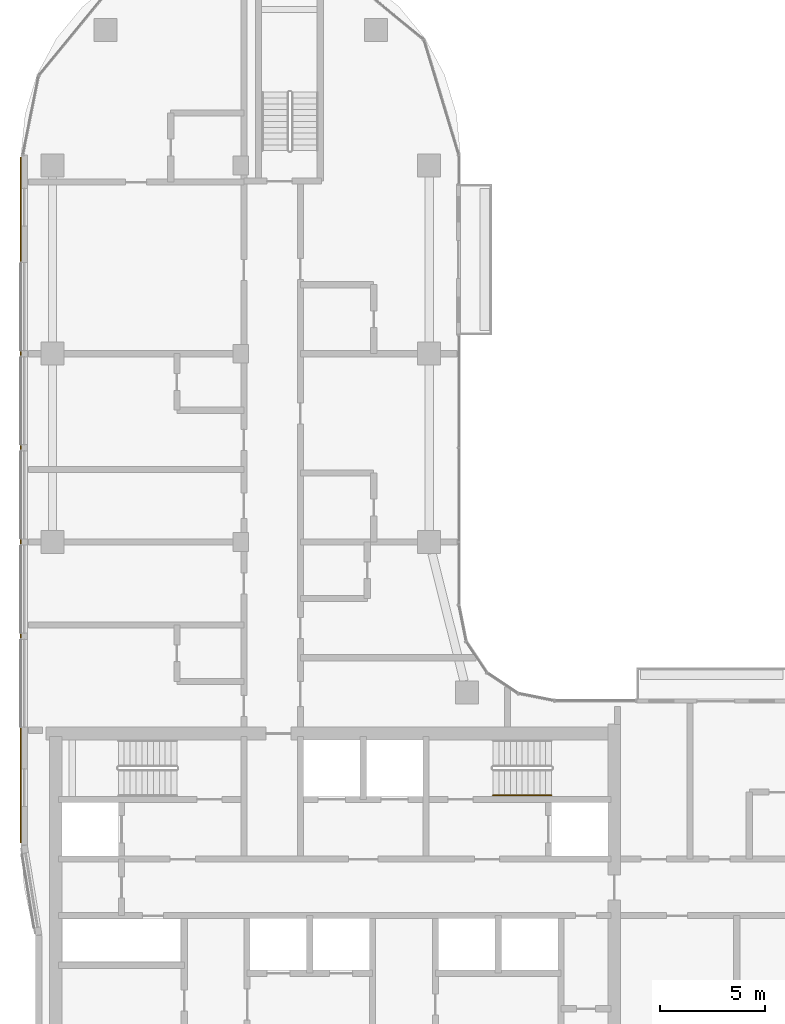
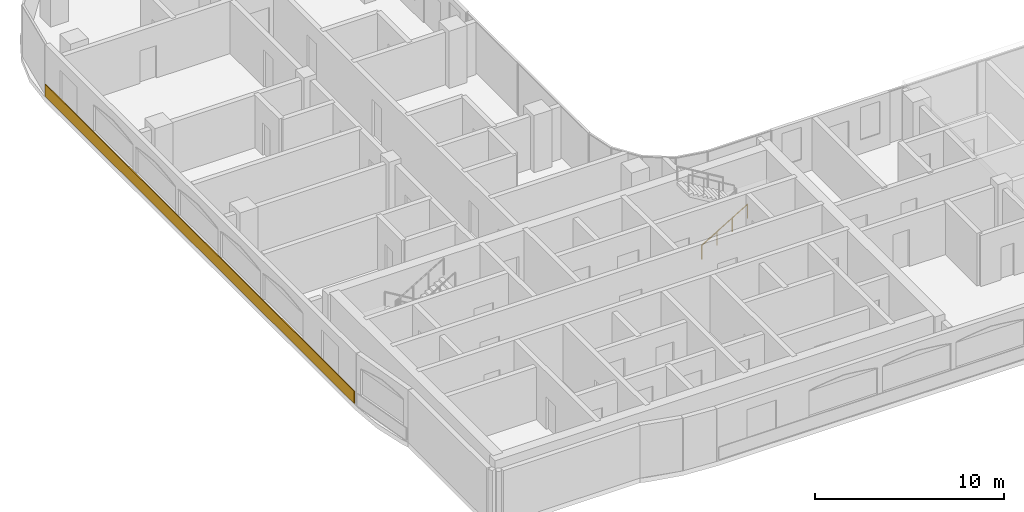
# One storey, part 17 of 22: 1 covering, 1 railing.
"""IFC4 building model written with IfcOpenShell, lengths in metres."""

import ifcopenshell
import ifcopenshell.guid

model = None  # the IFC model being written
_history = None  # IfcOwnerHistory: only IFC2X3 demands one
_inside = {}  # id of a spatial element -> (the spatial element, [elements in it])
_under = {}  # id of a project, library or spatial element -> (it, [spatial elements below it])
_declared = {}  # id of a project -> (the project, [libraries it declares])
_typed = {}  # id of a type object -> (the type object, [elements of that type])
_made_of = {}  # id of a material, layer set ... -> (it, [elements and type objects made of it])


def new_model(schema):
    """Start an empty IFC model of exactly this schema.

    Asked for "IFC4X3", IfcOpenShell would pick the latest addendum, in which some entities
    have other attributes; the version numbers below select the first issue.
    IFC2X3 requires an IfcOwnerHistory on every rooted entity: one is made here for all.
    """
    global model, _history
    if schema == "IFC4X3":
        model = ifcopenshell.file(schema_version=(4, 3, 0, 0))
    else:
        model = ifcopenshell.file(schema=schema)
    _inside.clear()
    _under.clear()
    _declared.clear()
    _typed.clear()
    _made_of.clear()
    _history = None
    if model.schema == "IFC2X3":
        org = make("IfcOrganization", Name="unknown")
        user = make(
            "IfcPersonAndOrganization",
            ThePerson=make("IfcPerson", FamilyName="unknown"),
            TheOrganization=org,
        )
        app = make(
            "IfcApplication",
            ApplicationDeveloper=org,
            Version="unknown",
            ApplicationFullName="unknown",
            ApplicationIdentifier="unknown",
        )
        _history = make(
            "IfcOwnerHistory",
            OwningUser=user,
            OwningApplication=app,
            ChangeAction="ADDED",
            CreationDate=0,
        )
    return model


def make(cls, **values):
    """One entity of the class cls with the attributes given. An attribute that is None is left unset."""
    return model.create_entity(
        cls, **{name: value for name, value in values.items() if value is not None}
    )


def rooted(cls, **values):
    """An entity with a GlobalId (a new one), such as an element, a storey or a relation."""
    return make(cls, GlobalId=ifcopenshell.guid.new(), OwnerHistory=_history, **values)


def si_unit(unit_type, name, prefix=None):
    """IfcSIUnit, for example si_unit("LENGTHUNIT", "METRE", prefix="MILLI")."""
    return make("IfcSIUnit", UnitType=unit_type, Prefix=prefix, Name=name)


def assignment(units):
    """IfcUnitAssignment: the units of a project."""
    return None if units is None else make("IfcUnitAssignment", Units=units)


def point(xyz):
    """IfcCartesianPoint."""
    return None if xyz is None else make("IfcCartesianPoint", Coordinates=xyz)


def direction(xyz):
    """IfcDirection."""
    return None if xyz is None else make("IfcDirection", DirectionRatios=xyz)


def frame(location, z_axis=None, x_axis=None):
    """IfcAxis2Placement3D, a coordinate frame: its origin and axes. An axis left out is left unset."""
    return make(
        "IfcAxis2Placement3D",
        Location=point(location),
        Axis=direction(z_axis),
        RefDirection=direction(x_axis),
    )


def frame_2d(location, x_axis=None):
    """IfcAxis2Placement2D, a coordinate frame in the plane: its origin and x axis."""
    return make(
        "IfcAxis2Placement2D", Location=point(location), RefDirection=direction(x_axis)
    )


def origin():
    """The frame at (0, 0, 0) with its axes left unset."""
    return frame((0.0, 0.0, 0.0))


def origin_2d():
    """The frame at (0, 0) in the plane with its x axis left unset."""
    return frame_2d((0.0, 0.0))


def place(relative_to, where):
    """IfcLocalPlacement: puts the frame where relative to a parent placement (None: the world)."""
    return make(
        "IfcLocalPlacement", PlacementRelTo=relative_to, RelativePlacement=where
    )


def context(
    kind, dimensions, precision=None, world=None, true_north=None, identifier=None
):
    """IfcGeometricRepresentationContext, for example the 3D "Model" context."""
    return make(
        "IfcGeometricRepresentationContext",
        ContextIdentifier=identifier,
        ContextType=kind,
        CoordinateSpaceDimension=dimensions,
        Precision=precision,
        WorldCoordinateSystem=world,
        TrueNorth=true_north,
    )


def subcontext(parent, identifier, kind, view, scale=None):
    """IfcGeometricRepresentationSubContext, for example "Body" below "Model"."""
    return make(
        "IfcGeometricRepresentationSubContext",
        ContextIdentifier=identifier,
        ContextType=kind,
        ParentContext=parent,
        TargetScale=scale,
        TargetView=view,
    )


def project(units=None, contexts=None):
    """IfcProject with its units and contexts."""
    return rooted(
        "IfcProject",
        Name="project",
        RepresentationContexts=contexts,
        UnitsInContext=assignment(units),
    )


def spatial(cls, under=None, at=None, **own):
    """A site, building, storey or space (cls), placed at a placement, below another one or the project."""
    s = rooted(cls, ObjectPlacement=at, **own)
    if under is not None:
        _under.setdefault(under.id(), (under, []))[1].append(s)
    return s


def profile(cls, at=None, kind="AREA", **sizes):
    """A parametric profile (cls). Its sizes go by their IFC names, for example OverallWidth=200.0."""
    return make(cls, ProfileType=kind, Position=at, **sizes)


def rectangle(**sizes):
    """IfcRectangleProfileDef."""
    return profile("IfcRectangleProfileDef", **sizes)


def circle(**sizes):
    """IfcCircleProfileDef."""
    return profile("IfcCircleProfileDef", **sizes)


def extrude(swept, where, along, depth):
    """IfcExtrudedAreaSolid: the profile swept, set in the frame where, extruded along a direction by depth."""
    return make(
        "IfcExtrudedAreaSolid",
        SweptArea=swept,
        Position=where,
        ExtrudedDirection=direction(along),
        Depth=depth,
    )


def shape(context_of_items, identifier, shape_type, items):
    """IfcShapeRepresentation: the items that make up one representation, for example the "Body"."""
    return make(
        "IfcShapeRepresentation",
        ContextOfItems=context_of_items,
        RepresentationIdentifier=identifier,
        RepresentationType=shape_type,
        Items=items,
    )


def material(Name=None, Category=None):
    """IfcMaterial."""
    return make("IfcMaterial", Name=Name, Category=Category)


def layer(
    of_material, thickness, ventilated=None, Name=None, Category=None, Priority=None
):
    """IfcMaterialLayer: one layer of a wall or slab, of a material (None: an air gap)."""
    return make(
        "IfcMaterialLayer",
        Material=of_material,
        LayerThickness=thickness,
        IsVentilated=ventilated,
        Name=Name,
        Category=Category,
        Priority=Priority,
    )


def layer_set(layers, Name=None):
    """IfcMaterialLayerSet."""
    return make("IfcMaterialLayerSet", MaterialLayers=layers, LayerSetName=Name)


def made_of(thing, what):
    """Note that an element or type object is made of a material, layer set ...; save() writes the relation."""
    if what is not None:
        _made_of.setdefault(what.id(), (what, []))[1].append(thing)
    return thing


def type_object(cls, material=None, **own):
    """A type object (cls), such as IfcWallType, which elements share."""
    return made_of(rooted(cls, **own), material)


def element(
    cls,
    number,
    at=None,
    inside=None,
    cuts=None,
    type_object=None,
    material=None,
    context=None,
    identifier="Body",
    shape_type=None,
    held_by="IfcProductDefinitionShape",
    body=None,
    shapes=None,
    **own,
):
    """One element of the class cls, such as IfcWall. Its Tag is "e" and its number.

    at: its placement. inside: the storey or other place that contains it. cuts: it is an
    opening in that element (IfcRelVoidsElement). A single representation is given by context,
    identifier, shape_type and body (its items); several are given by shapes. held_by: the class
    of the entity that holds the representations. save() writes the other relations.
    """
    e = rooted(cls, Tag="e%d" % number, ObjectPlacement=at, **own)
    if body is not None:
        shapes = [shape(context, identifier, shape_type, body)]
    if shapes is not None:
        e.Representation = make(held_by, Representations=shapes)
    if inside is not None:
        _inside.setdefault(inside.id(), (inside, []))[1].append(e)
    if cuts is not None:
        rooted(
            "IfcRelVoidsElement", RelatingBuildingElement=cuts, RelatedOpeningElement=e
        )
    if type_object is not None:
        _typed.setdefault(type_object.id(), (type_object, []))[1].append(e)
    return made_of(e, material)


def aggregate(whole, parts):
    """IfcRelAggregates: a whole, such as a stair, and the parts it consists of."""
    return rooted("IfcRelAggregates", RelatingObject=whole, RelatedObjects=parts)


def save(model, path):
    """Write the relations noted so far, then the file.

    IfcRelAggregates (storeys below a building ...), IfcRelContainedInSpatialStructure (elements
    in a storey), IfcRelDefinesByType, IfcRelAssociatesMaterial and IfcRelDeclares: one each for
    every whole, place, type object, material and project.
    """
    for whole, parts in _under.values():
        aggregate(whole, parts)
    for where, things in _inside.values():
        rooted(
            "IfcRelContainedInSpatialStructure",
            RelatedElements=things,
            RelatingStructure=where,
        )
    for kind, things in _typed.values():
        rooted("IfcRelDefinesByType", RelatedObjects=things, RelatingType=kind)
    for what, things in _made_of.values():
        rooted("IfcRelAssociatesMaterial", RelatedObjects=things, RelatingMaterial=what)
    for by, libraries in _declared.values():
        rooted("IfcRelDeclares", RelatingContext=by, RelatedDefinitions=libraries)
    model.write(path)


model = new_model("IFC4")

# Units and contexts
model_context = context("Model", 3, precision=1e-05, world=origin(), true_north=direction((0.0, 1.0)))
body_context = subcontext(model_context, "Body", "Model", "MODEL_VIEW")
ifc_project = project(units=[si_unit("LENGTHUNIT", "METRE"), si_unit("AREAUNIT", "SQUARE_METRE"), si_unit("VOLUMEUNIT", "CUBIC_METRE"), si_unit("PLANEANGLEUNIT", "RADIAN"), si_unit("MASSUNIT", "GRAM", prefix="KILO")], contexts=[model_context])

# Site, building, storey
site_placement = place(None, origin())
site = spatial("IfcSite", under=ifc_project, at=site_placement, CompositionType="ELEMENT")
building_placement = place(site_placement, origin())
building = spatial("IfcBuilding", under=site, at=building_placement, Name="Ogive Portal Towers", CompositionType="ELEMENT")
storey_placement = place(building_placement, frame((0.0, 0.0, 145.89990234375)))
storey = spatial("IfcBuildingStorey", under=building, at=storey_placement, Name="L35", CompositionType="ELEMENT", Elevation=145.89990234375)

# Railing
ifc_material_1 = material(Name="Stainless steel handrail", Category="steel")
railing_type = type_object("IfcRailingType", Name="INT-HANDRAIL", PredefinedType="HANDRAIL", material=ifc_material_1)
railing_placement = place(storey_placement, frame((52.550048828125, 36.39990234375, 0.168212890625)))
element("IfcRailing", 1, at=railing_placement, inside=storey, type_object=railing_type, Name="L35 ST-A2 stair handrail 1", PredefinedType="HANDRAIL", context=body_context, shape_type="SweptSolid", body=[
    extrude(circle(Radius=0.02392578125, at=origin_2d()), frame((0.0, 0.0, 0.8759765625), z_axis=(0.857242210791, 0.0, 0.514913383045), x_axis=(0.0, 1.0, 0.0)), (0.0, 0.0, 1.0), 3.266357421875),
    extrude(circle(Radius=0.02099609375, at=origin_2d()), origin(), (0.0, 0.0, 1.0), 0.851806640625),
    extrude(circle(Radius=0.02099609375, at=origin_2d()), frame((0.933349609375, 0.0, 0.560546875)), (0.0, 0.0, 1.0), 0.851806640625),
    extrude(circle(Radius=0.02099609375, at=origin_2d()), frame((1.86669921875, 0.0, 1.121337890625)), (0.0, 0.0, 1.0), 0.851806640625),
    extrude(circle(Radius=0.02099609375, at=origin_2d()), frame((2.800048828125, 0.0, 1.681884765625)), (0.0, 0.0, 1.0), 0.851806640625),
])

# Covering
ifc_material_2 = material(Name="Limestone cladding on lightweight block wall", Category="masonry")
ifc_layer = layer(ifc_material_2, 0.050048828125)
ifc_layer_set = layer_set([ifc_layer], Name="SCREEN PERFORATED STONE")
covering_type = type_object("IfcCoveringType", Name="SCREEN PERFORATED STONE", PredefinedType="CLADDING", material=ifc_layer_set)
covering_placement = place(storey_placement, frame((29.97509765625, 50.50830078125, 0.10009765625), z_axis=(0.0, 0.0, 1.0), x_axis=(0.0, -1.0, 0.0)))
element("IfcCovering", 2, at=covering_placement, inside=storey, type_object=covering_type, Name="Tracery screen", PredefinedType="CLADDING", context=body_context, shape_type="SweptSolid", body=[
    extrude(rectangle(XDim=32.767822265625, YDim=0.050048828125, at=origin_2d()), origin(), (0.0, 0.0, 1.0), 0.800048828125),
])

save(model, "model.ifc")
